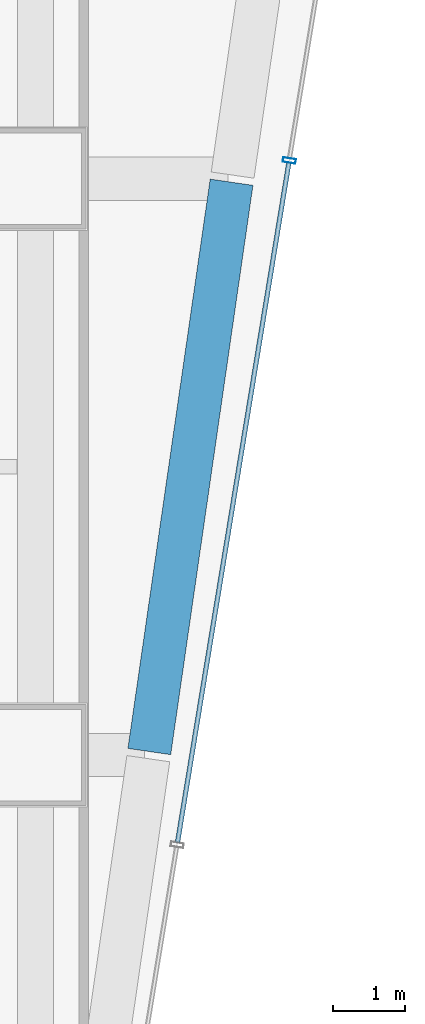
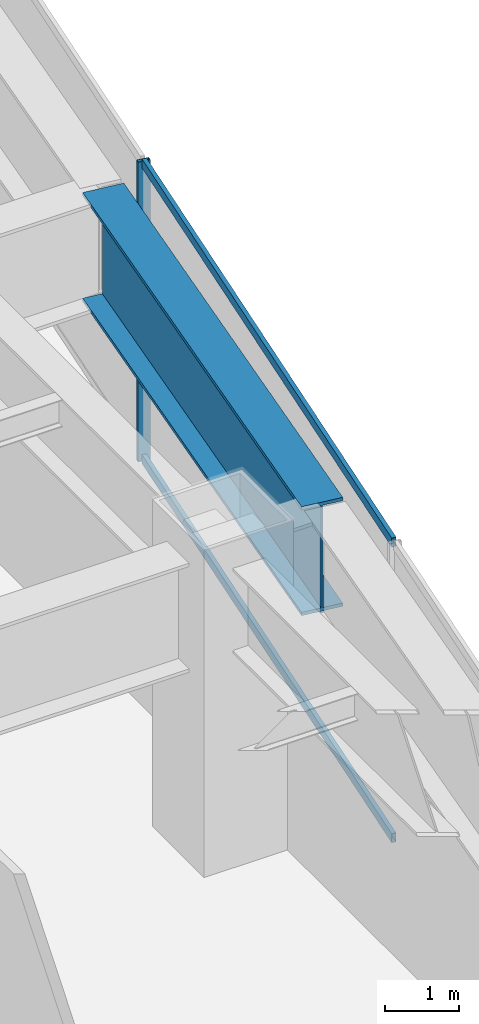
# One storey, part 22 of 42: 3 members, 1 beam, 1 element without a shape of its own.
"""IFC4 building model written with IfcOpenShell, lengths in metres."""

from ifc_helpers import new_model, si_unit, direction, frame, origin, origin_2d, place, context, subcontext, project, spatial, hollow_rectangle, i_section, extrude, material, material_profile, profile_set, type_object, element, aggregate, save


model = new_model("IFC4")

# Units and contexts
model_context = context("Model", 3, precision=1e-05, world=origin(), true_north=direction((0.0, 1.0)))
body_context = subcontext(model_context, "Body", "Model", "MODEL_VIEW")
ifc_project = project(units=[si_unit("LENGTHUNIT", "METRE"), si_unit("AREAUNIT", "SQUARE_METRE"), si_unit("VOLUMEUNIT", "CUBIC_METRE"), si_unit("PLANEANGLEUNIT", "RADIAN"), si_unit("MASSUNIT", "GRAM", prefix="KILO")], contexts=[model_context])

# Site, building, storey
site_placement = place(None, origin())
site = spatial("IfcSite", under=ifc_project, at=site_placement, CompositionType="ELEMENT")
building_placement = place(site_placement, origin())
building = spatial("IfcBuilding", under=site, at=building_placement, Name="Saevonmaru Cultural Tower", CompositionType="ELEMENT")
storey_placement = place(building_placement, frame((0.0, 0.0, 33.0)))
storey = spatial("IfcBuildingStorey", under=building, at=storey_placement, Name="L06", CompositionType="ELEMENT", Elevation=33.0)

# Beam
ifc_material_1 = material(Name="Steel HSA600 (600 MPa)", Category="steel")
ifc_material_profile_1 = material_profile(ifc_material_1, i_section(OverallWidth=0.60009765625, OverallDepth=1.800048828125, WebThickness=0.028076171875, FlangeThickness=0.054931640625, at=origin_2d()), Name="PG-1800x600x28x55")
ifc_profile_set_1 = profile_set([ifc_material_profile_1], Name="Steel HSA600 (600 MPa)")
beam_type = type_object("IfcBeamType", Name="BM-TG-PG1800-EXT", PredefinedType="SPANDREL", material=ifc_profile_set_1)
beam_placement = place(storey_placement, frame((49.379150390625, 16.049560546875, 4.050048828125), z_axis=(0.14300536634, 0.989721913063, 0.0), x_axis=(-0.989721913063, 0.14300536634, 0.0)))
element("IfcBeam", 1, at=beam_placement, inside=storey, type_object=beam_type, Name="L06 Perimeter Transfer Spandrel E-3", PredefinedType="SPANDREL", context=body_context, shape_type="SweptSolid", body=[
    extrude(i_section(OverallWidth=0.60009765625, OverallDepth=1.800048828125, WebThickness=0.028076171875, FlangeThickness=0.054931640625, at=origin_2d()), origin(), (0.0, 0.0, 1.0), 7.98291015625),
])

# Curtain wall, members
ifc_material_2 = material(Name="Satin Bronze Anodised Aluminium", Category="aluminium")
curtain_wall_type = type_object("IfcCurtainWallType", Name="CW-SKY-GLZ", PredefinedType="NOTDEFINED", material=ifc_material_2)
curtain_wall_placement = place(storey_placement, origin())
curtain_wall = element("IfcCurtainWall", 2, at=curtain_wall_placement, inside=storey, type_object=curtain_wall_type, Name="L06 Unitised Curtain Wall E8", PredefinedType="NOTDEFINED")
ifc_material_profile_2 = material_profile(ifc_material_2, hollow_rectangle(XDim=0.06494140625, YDim=0.179931640625, WallThickness=0.00390625, at=origin_2d()), Name="ALU-MULL-180x65x4")
ifc_profile_set_2 = profile_set([ifc_material_profile_2], Name="Satin Bronze Anodised Aluminium")
member_type_1 = type_object("IfcMemberType", Name="ML-CW-180x65", PredefinedType="MULLION", material=ifc_profile_set_2)
member_1_placement = place(storey_placement, frame((51.322021484375, 24.251953125, 0.0), z_axis=(0.0, 0.0, 1.0), x_axis=(0.161708868641, 0.986838508472, 0.0)))
member_1 = element("IfcMember", 3, at=member_1_placement, type_object=member_type_1, Name="CW-TW-L06-E8 mullion 3", PredefinedType="MULLION", context=body_context, shape_type="SweptSolid", body=[
    extrude(hollow_rectangle(XDim=0.06494140625, YDim=0.179931640625, WallThickness=0.00390625, at=origin_2d()), origin(), (0.0, 0.0, 1.0), 4.949951171875),
])
ifc_material_profile_3 = material_profile(ifc_material_2, hollow_rectangle(XDim=0.06494140625, YDim=0.14990234375, WallThickness=0.00390625, at=origin_2d()), Name="ALU-TRAN-150x65x4")
ifc_profile_set_3 = profile_set([ifc_material_profile_3], Name="Satin Bronze Anodised Aluminium")
member_type_2 = type_object("IfcMemberType", Name="TR-CW-150x65", PredefinedType="USERDEFINED", material=ifc_profile_set_3)
member_2_placement = place(storey_placement, frame((49.77099609375, 14.78759765625, 0.032470703125), z_axis=(0.161714267134, 0.986837623829, 0.0), x_axis=(-0.986837623829, 0.161714267134, 0.0)))
member_2 = element("IfcMember", 4, at=member_2_placement, type_object=member_type_2, Name="CW-TW-L06-E8 transom 2.1", ObjectType="TRANSOM", PredefinedType="USERDEFINED", context=body_context, shape_type="SweptSolid", body=[
    extrude(hollow_rectangle(XDim=0.06494140625, YDim=0.14990234375, WallThickness=0.00390625, at=origin_2d()), origin(), (0.0, 0.0, 1.0), 9.557861328125),
])
member_3_placement = place(storey_placement, frame((49.77099609375, 14.78759765625, 4.91748046875), z_axis=(0.161714267134, 0.986837623829, 0.0), x_axis=(-0.986837623829, 0.161714267134, 0.0)))
member_3 = element("IfcMember", 5, at=member_3_placement, type_object=member_type_2, Name="CW-TW-L06-E8 transom 2.2", ObjectType="TRANSOM", PredefinedType="USERDEFINED", context=body_context, shape_type="SweptSolid", body=[
    extrude(hollow_rectangle(XDim=0.06494140625, YDim=0.14990234375, WallThickness=0.00390625, at=origin_2d()), origin(), (0.0, 0.0, 1.0), 9.557861328125),
])
aggregate(curtain_wall, [member_1, member_2, member_3])

save(model, "model.ifc")
